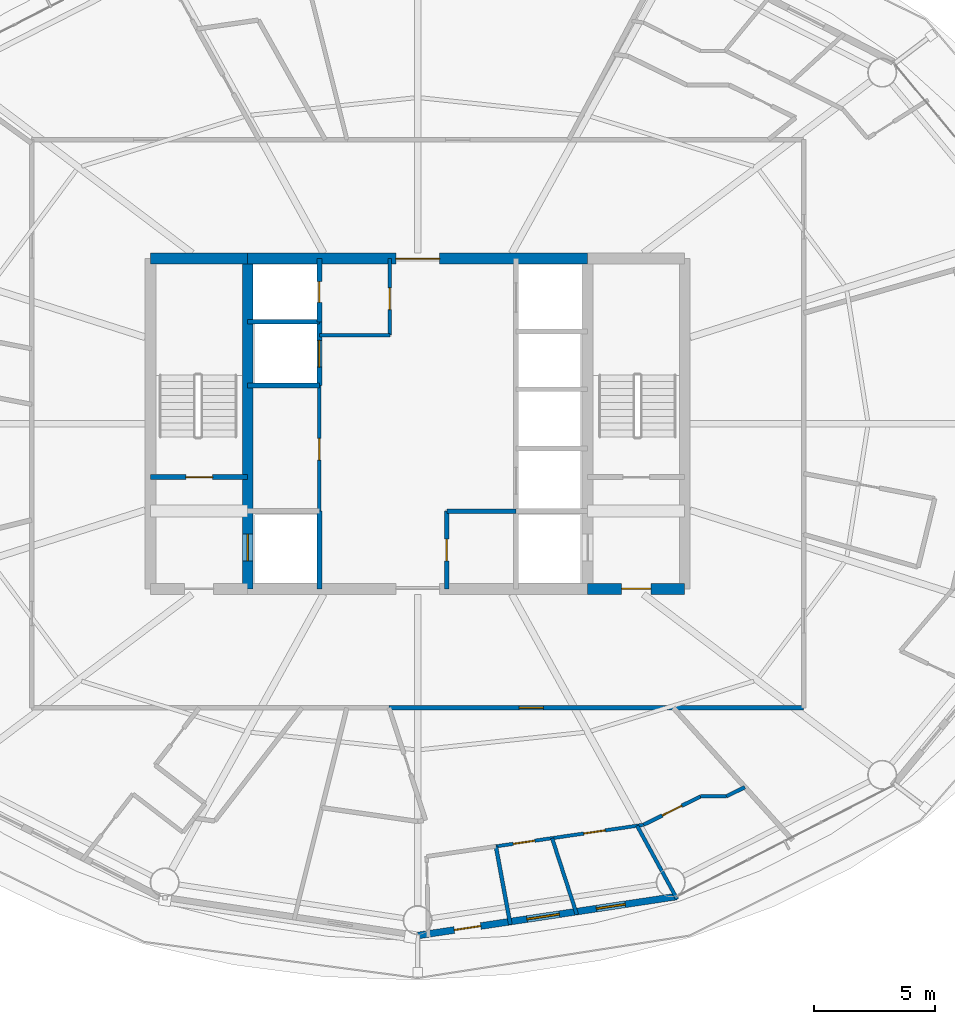
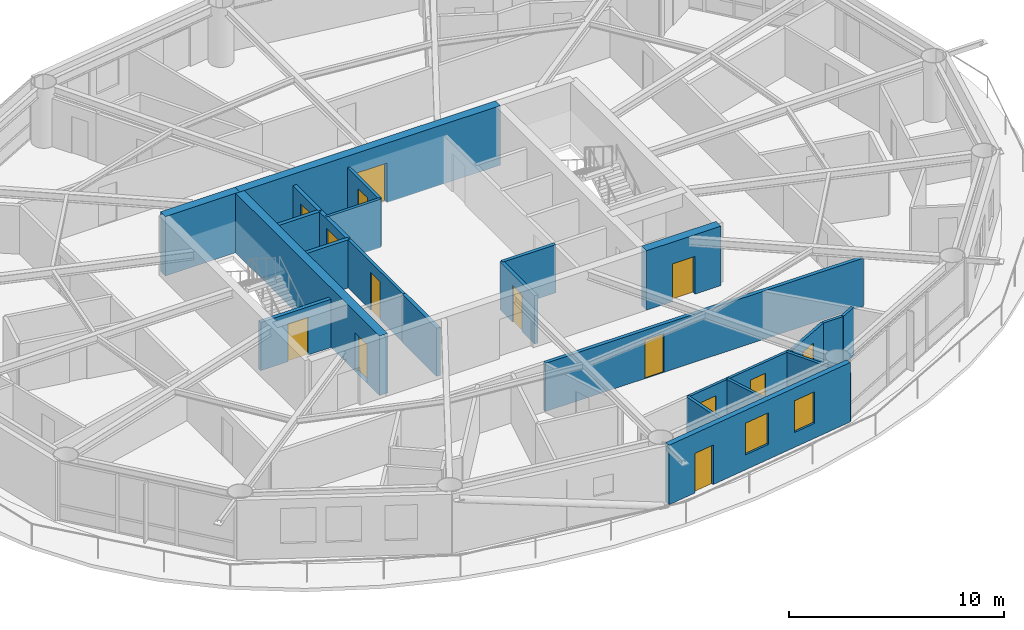
# One storey, part 21 of 27: 24 walls, 14 doors, 2 windows, 16 openings.
"""IFC4 building model written with IfcOpenShell, lengths in metres."""

from ifc_helpers import new_model, si_unit, direction, frame, frame_2d, origin, place, context, subcontext, project, spatial, rectangle, extrude, material, layer, layer_set, type_object, element, fill, save


model = new_model("IFC4")

# Units and contexts
model_context = context("Model", 3, precision=1e-05, world=origin(), true_north=direction((0.0, 1.0)))
body_context = subcontext(model_context, "Body", "Model", "MODEL_VIEW")
ifc_project = project(units=[si_unit("LENGTHUNIT", "METRE"), si_unit("AREAUNIT", "SQUARE_METRE"), si_unit("VOLUMEUNIT", "CUBIC_METRE"), si_unit("PLANEANGLEUNIT", "RADIAN"), si_unit("MASSUNIT", "GRAM", prefix="KILO")], contexts=[model_context])

# Site, building, storey
site_placement = place(None, origin())
site = spatial("IfcSite", under=ifc_project, at=site_placement, CompositionType="ELEMENT")
building_placement = place(site_placement, origin())
building = spatial("IfcBuilding", under=site, at=building_placement, Name="Sarneth Arch Tower", CompositionType="ELEMENT")
storey_placement = place(building_placement, frame((0.0, 0.0, 186.60009765625)))
storey = spatial("IfcBuildingStorey", under=building, at=storey_placement, Name="L47", CompositionType="ELEMENT", Elevation=186.60009765625)

# Wall, opening, door
ifc_material_1 = material(Name="Concrete C50/60", Category="concrete")
ifc_layer_1 = layer(ifc_material_1, 0.449951171875)
ifc_layer_set_1 = layer_set([ifc_layer_1], Name="Concrete C50/60")
wall_type_1 = type_object("IfcWallType", Name="WALL-CORE-450", PredefinedType="SHEAR", material=ifc_layer_set_1)
wall_1_placement = place(storey_placement, frame((55.0, 35.199951171875, 0.0), z_axis=(0.0, 0.0, 1.0), x_axis=(1.0, 0.0, 0.0)))
wall_1 = element("IfcWall", 1, at=wall_1_placement, inside=storey, type_object=wall_type_1, Name="L47 Core shear wall S-E", PredefinedType="SHEAR", context=body_context, shape_type="SweptSolid", body=[
    extrude(rectangle(XDim=4.0, YDim=0.449951171875, at=frame_2d((2.0, 0.0))), origin(), (0.0, 0.0, 1.0), 3.3798828125),
])
opening_1_placement = place(wall_1_placement, frame((1.39990234375, 0.0, 0.0)))
opening_1 = element("IfcOpeningElement", 2, at=opening_1_placement, cuts=wall_1, Name="Opening FD-02", PredefinedType="OPENING", context=body_context, shape_type="SweptSolid", body=[
    extrude(rectangle(XDim=1.199951171875, YDim=2.14990234375, at=frame_2d((0.60009765625, 1.074951171875))), frame((0.0, 0.23486328125, 0.0), z_axis=(0.0, -1.0, 0.0), x_axis=(1.0, 0.0, 0.0)), (0.0, 0.0, 1.0), 0.469970703125),
])
ifc_material_2 = material(Name="Galvanised Steel S275 fire door set", Category="steel")
door_type_1 = type_object("IfcDoorType", Name="DR-FD90-1200", OperationType="SINGLE_SWING_LEFT", PredefinedType="DOOR", material=ifc_material_2)
door_1_placement = place(opening_1_placement, origin())
door_1 = element("IfcDoor", 3, at=door_1_placement, inside=storey, type_object=door_type_1, Name="L47 Firefighting lobby 2 exit door", OperationType="SINGLE_SWING_RIGHT", OverallHeight=2.14990234375, OverallWidth=1.199951171875, PredefinedType="DOOR", context=body_context, shape_type="SweptSolid", body=[
    extrude(rectangle(XDim=1.199951171875, YDim=2.14990234375, at=frame_2d((0.60009765625, 1.074951171875))), frame((0.0, 0.02490234375, 0.0), z_axis=(0.0, -1.0, 0.0), x_axis=(1.0, 0.0, 0.0)), (0.0, 0.0, 1.0), 0.050048828125),
])
fill(opening_1, door_1)

# Wall
wall_2_placement = place(storey_placement, frame((37.0, 48.800048828125, 0.0), z_axis=(0.0, 0.0, 1.0), x_axis=(1.0, 0.0, 0.0)))
element("IfcWall", 4, at=wall_2_placement, inside=storey, type_object=wall_type_1, Name="L47 Core shear wall N-W", PredefinedType="SHEAR", context=body_context, shape_type="SweptSolid", body=[
    extrude(rectangle(XDim=4.0, YDim=0.449951171875, at=frame_2d((2.0, 0.0))), origin(), (0.0, 0.0, 1.0), 3.3798828125),
])

# Wall, opening, door
wall_3_placement = place(storey_placement, frame((41.0, 48.800048828125, 0.0), z_axis=(0.0, 0.0, 1.0), x_axis=(1.0, 0.0, 0.0)))
wall_3 = element("IfcWall", 5, at=wall_3_placement, inside=storey, type_object=wall_type_1, Name="L47 Core shear wall N-M", PredefinedType="SHEAR", context=body_context, shape_type="SweptSolid", body=[
    extrude(rectangle(XDim=14.0, YDim=0.449951171875, at=frame_2d((7.0, 0.0))), origin(), (0.0, 0.0, 1.0), 3.3798828125),
])
opening_2_placement = place(wall_3_placement, frame((6.10009765625, 0.0, 0.0)))
opening_2 = element("IfcOpeningElement", 6, at=opening_2_placement, cuts=wall_3, Name="Opening FD-01", PredefinedType="OPENING", context=body_context, shape_type="SweptSolid", body=[
    extrude(rectangle(XDim=1.800048828125, YDim=2.25, at=frame_2d((0.89990234375, 1.125))), frame((0.0, 0.23486328125, 0.0), z_axis=(0.0, -1.0, 0.0), x_axis=(1.0, 0.0, 0.0)), (0.0, 0.0, 1.0), 0.469970703125),
])
ifc_material_3 = material(Name="Galvanised Steel S275 fire door set", Category="steel")
door_type_2 = type_object("IfcDoorType", Name="DR-FD90-1800", OperationType="DOUBLE_DOOR_SINGLE_SWING", PredefinedType="DOOR", material=ifc_material_3)
door_2_placement = place(opening_2_placement, origin())
door_2 = element("IfcDoor", 7, at=door_2_placement, inside=storey, type_object=door_type_2, Name="L47 Central lift lobby north door", OperationType="DOUBLE_DOOR_SINGLE_SWING", OverallHeight=2.25, OverallWidth=1.800048828125, PredefinedType="DOOR", context=body_context, shape_type="SweptSolid", body=[
    extrude(rectangle(XDim=1.800048828125, YDim=2.25, at=frame_2d((0.89990234375, 1.125))), frame((0.0, 0.02490234375, 0.0), z_axis=(0.0, -1.0, 0.0), x_axis=(1.0, 0.0, 0.0)), (0.0, 0.0, 1.0), 0.050048828125),
])
fill(opening_2, door_2)

wall_4_placement = place(storey_placement, frame((41.0, 35.199951171875, 0.0), z_axis=(0.0, 0.0, 1.0), x_axis=(0.0, 1.0, 0.0)))
wall_4 = element("IfcWall", 8, at=wall_4_placement, inside=storey, type_object=wall_type_1, Name="L47 Core shear wall WEB-W", PredefinedType="SHEAR", context=body_context, shape_type="SweptSolid", body=[
    extrude(rectangle(XDim=13.60009765625, YDim=0.449951171875, at=frame_2d((6.800048828125, 0.0))), origin(), (0.0, 0.0, 1.0), 3.3798828125),
])
opening_3_placement = place(wall_4_placement, frame((1.14990234375, 0.0, 0.0)))
opening_3 = element("IfcOpeningElement", 9, at=opening_3_placement, cuts=wall_4, Name="Opening LD-1", PredefinedType="OPENING", context=body_context, shape_type="SweptSolid", body=[
    extrude(rectangle(XDim=1.10009765625, YDim=2.199951171875, at=frame_2d((0.550048828125, 1.10009765625))), frame((0.0, 0.23486328125, 0.0), z_axis=(0.0, -1.0, 0.0), x_axis=(1.0, 0.0, 0.0)), (0.0, 0.0, 1.0), 0.469970703125),
])
ifc_material_4 = material(Name="Brushed Stainless Steel 304 lift landing door", Category="steel")
door_type_3 = type_object("IfcDoorType", Name="DR-LIFT-SLIDE-1100", OperationType="SLIDING_TO_LEFT", PredefinedType="DOOR", material=ifc_material_4)
door_3_placement = place(opening_3_placement, origin())
door_3 = element("IfcDoor", 10, at=door_3_placement, inside=storey, type_object=door_type_3, Name="L47 Firefighting lift landing door FL-1", OperationType="SLIDING_TO_LEFT", OverallHeight=2.199951171875, OverallWidth=1.10009765625, PredefinedType="DOOR", context=body_context, shape_type="SweptSolid", body=[
    extrude(rectangle(XDim=1.10009765625, YDim=2.199951171875, at=frame_2d((0.550048828125, 1.10009765625))), frame((0.0, 0.02490234375, 0.0), z_axis=(0.0, -1.0, 0.0), x_axis=(1.0, 0.0, 0.0)), (0.0, 0.0, 1.0), 0.050048828125),
])
fill(opening_3, door_3)

ifc_material_5 = material(Name="Double steel-stud corridor fire wall", Category="steel")
ifc_layer_2 = layer(ifc_material_5, 0.18994140625)
ifc_layer_set_2 = layer_set([ifc_layer_2], Name="Double steel-stud corridor fire wall")
wall_type_2 = type_object("IfcWallType", Name="WALL-CORR-190", PredefinedType="PARTITIONING", material=ifc_layer_set_2)
wall_5_placement = place(storey_placement, frame((46.817626953125, 30.300048828125, 0.0), z_axis=(0.0, 0.0, 1.0), x_axis=(1.0, 0.0, 0.0)))
wall_5 = element("IfcWall", 11, at=wall_5_placement, inside=storey, type_object=wall_type_2, Name="L47 Interior partition W-L47-TP-016", PredefinedType="PARTITIONING", context=body_context, shape_type="SweptSolid", body=[
    extrude(rectangle(XDim=17.082275390625, YDim=0.18994140625, at=frame_2d((8.541015625, 0.0))), origin(), (0.0, 0.0, 1.0), 2.739990234375),
])
opening_4_placement = place(wall_5_placement, frame((5.3583984375, 0.0, 0.0)))
opening_4 = element("IfcOpeningElement", 12, at=opening_4_placement, cuts=wall_5, Name="Opening FD-08", PredefinedType="OPENING", context=body_context, shape_type="SweptSolid", body=[
    extrude(rectangle(XDim=1.0, YDim=2.199951171875, at=frame_2d((0.5, 1.10009765625))), frame((0.0, 0.10498046875, 0.0), z_axis=(0.0, -1.0, 0.0), x_axis=(1.0, 0.0, 0.0)), (0.0, 0.0, 1.0), 0.2099609375),
])
ifc_material_6 = material(Name="Hardwood timber acoustic fire door", Category="wood")
door_type_4 = type_object("IfcDoorType", Name="DR-FD60-1000", OperationType="SINGLE_SWING_LEFT", PredefinedType="DOOR", material=ifc_material_6)
door_4_placement = place(opening_4_placement, origin())
door_4 = element("IfcDoor", 13, at=door_4_placement, inside=storey, type_object=door_type_4, Name="L47 Interior door DR-L47-U6-ENT", OperationType="SINGLE_SWING_RIGHT", OverallHeight=2.199951171875, OverallWidth=1.0, PredefinedType="DOOR", context=body_context, shape_type="SweptSolid", body=[
    extrude(rectangle(XDim=1.0, YDim=2.199951171875, at=frame_2d((0.5, 1.10009765625))), frame((0.0, 0.02490234375, 0.0), z_axis=(0.0, -1.0, 0.0), x_axis=(1.0, 0.0, 0.0)), (0.0, 0.0, 1.0), 0.050048828125),
])
fill(opening_4, door_4)

# Wall, openings, door, windows
ifc_material_7 = material(Name="Extruded terracotta rainscreen on Concrete C40/50 backing", Category="masonry")
ifc_layer_3 = layer(ifc_material_7, 0.280029296875)
ifc_layer_set_3 = layer_set([ifc_layer_3], Name="Extruded terracotta rainscreen on Concrete C40/50 backing")
wall_type_3 = type_object("IfcWallType", Name="WALL-EXT-TERRA-280", PredefinedType="SOLIDWALL", material=ifc_layer_set_3)
wall_6_placement = place(storey_placement, frame((48.0, 20.919921875, 0.0), z_axis=(0.0, 0.0, 1.0), x_axis=(0.988863993413, 0.148822049884, 0.0)))
wall_6 = element("IfcWall", 14, at=wall_6_placement, inside=storey, type_object=wall_type_3, Name="L47 Terracotta perimeter wall 13", PredefinedType="SOLIDWALL", context=body_context, shape_type="SweptSolid", body=[
    extrude(rectangle(XDim=10.782958984375, YDim=0.280029296875, at=frame_2d((5.3916015625, 0.0))), origin(), (0.0, 0.0, 1.0), 3.3798828125),
])
opening_5_placement = place(wall_6_placement, frame((1.523681640625, 0.0, 0.0)))
opening_5 = element("IfcOpeningElement", 15, at=opening_5_placement, cuts=wall_6, Name="Opening BD-3", PredefinedType="OPENING", context=body_context, shape_type="SweptSolid", body=[
    extrude(rectangle(XDim=1.10009765625, YDim=2.25, at=frame_2d((0.550048828125, 1.125))), frame((0.0, 0.14990234375, 0.0), z_axis=(0.0, -1.0, 0.0), x_axis=(1.0, 0.0, 0.0)), (0.0, 0.0, 1.0), 0.300048828125),
])
opening_6_placement = place(wall_6_placement, frame((4.5517578125, 0.0, 0.85009765625)))
opening_6 = element("IfcOpeningElement", 16, at=opening_6_placement, cuts=wall_6, Name="Opening W-08", PredefinedType="OPENING", context=body_context, shape_type="SweptSolid", body=[
    extrude(rectangle(XDim=1.35009765625, YDim=1.800048828125, at=frame_2d((0.675048828125, 0.89990234375))), frame((0.0, 0.14990234375, 0.0), z_axis=(0.0, -1.0, 0.0), x_axis=(1.0, 0.0, 0.0)), (0.0, 0.0, 1.0), 0.300048828125),
])
opening_7_placement = place(wall_6_placement, frame((7.446044921875, 0.0, 0.85009765625)))
opening_7 = element("IfcOpeningElement", 17, at=opening_7_placement, cuts=wall_6, Name="Opening W-09", PredefinedType="OPENING", context=body_context, shape_type="SweptSolid", body=[
    extrude(rectangle(XDim=1.199951171875, YDim=1.800048828125, at=frame_2d((0.60009765625, 0.89990234375))), frame((0.0, 0.14990234375, 0.0), z_axis=(0.0, -1.0, 0.0), x_axis=(1.0, 0.0, 0.0)), (0.0, 0.0, 1.0), 0.300048828125),
])
ifc_material_8 = material(Name="Thermally broken Aluminium 6063-T6 and laminated safety glass", Category="aluminium")
door_type_5 = type_object("IfcDoorType", Name="DR-BALC-GLZ-1100", OperationType="SINGLE_SWING_LEFT", PredefinedType="DOOR", material=ifc_material_8)
door_5_placement = place(opening_5_placement, origin())
door_5 = element("IfcDoor", 18, at=door_5_placement, inside=storey, type_object=door_type_5, Name="L47 Balcony glazed door 13", OperationType="SINGLE_SWING_LEFT", OverallHeight=2.25, OverallWidth=1.10009765625, PredefinedType="DOOR", context=body_context, shape_type="SweptSolid", body=[
    extrude(rectangle(XDim=1.10009765625, YDim=2.25, at=frame_2d((0.550048828125, 1.125))), frame((0.0, 0.02490234375, 0.0), z_axis=(0.0, -1.0, 0.0), x_axis=(1.0, 0.0, 0.0)), (0.0, 0.0, 1.0), 0.050048828125),
])
fill(opening_5, door_5)
ifc_material_9 = material(Name="Thermally broken Aluminium 6063-T6 and low-e laminated IGU", Category="aluminium")
window_type_1 = type_object("IfcWindowType", Name="WIN-TWR-1200x1800", PartitioningType="SINGLE_PANEL", PredefinedType="WINDOW", material=ifc_material_9)
window_1_placement = place(opening_7_placement, origin())
window_1 = element("IfcWindow", 19, at=window_1_placement, inside=storey, type_object=window_type_1, Name="L47 Exterior window 13B", OverallHeight=1.800048828125, OverallWidth=1.199951171875, PartitioningType="SINGLE_PANEL", PredefinedType="WINDOW", context=body_context, shape_type="SweptSolid", body=[
    extrude(rectangle(XDim=1.199951171875, YDim=1.800048828125, at=frame_2d((0.60009765625, 0.89990234375))), frame((0.0, 0.030029296875, 0.0), z_axis=(0.0, -1.0, 0.0), x_axis=(1.0, 0.0, 0.0)), (0.0, 0.0, 1.0), 0.06005859375),
])
fill(opening_7, window_1)
ifc_material_10 = material(Name="Thermally broken Aluminium 6063-T6 and low-e laminated IGU", Category="aluminium")
window_type_2 = type_object("IfcWindowType", Name="WIN-TWR-1350x1800", PartitioningType="SINGLE_PANEL", PredefinedType="WINDOW", material=ifc_material_10)
window_2_placement = place(opening_6_placement, origin())
window_2 = element("IfcWindow", 20, at=window_2_placement, inside=storey, type_object=window_type_2, Name="L47 Exterior window 13A", OverallHeight=1.800048828125, OverallWidth=1.35009765625, PartitioningType="SINGLE_PANEL", PredefinedType="WINDOW", context=body_context, shape_type="SweptSolid", body=[
    extrude(rectangle(XDim=1.35009765625, YDim=1.800048828125, at=frame_2d((0.675048828125, 0.89990234375))), frame((0.0, 0.030029296875, 0.0), z_axis=(0.0, -1.0, 0.0), x_axis=(1.0, 0.0, 0.0)), (0.0, 0.0, 1.0), 0.06005859375),
])
fill(opening_6, window_2)

# Wall, openings, doors
ifc_material_11 = material(Name="Apartment internal stud partition", Category="gypsum")
ifc_layer_4 = layer(ifc_material_11, 0.139892578125)
ifc_layer_set_4 = layer_set([ifc_layer_4], Name="Apartment internal stud partition")
wall_type_4 = type_object("IfcWallType", Name="WALL-PART-140", PredefinedType="PARTITIONING", material=ifc_layer_set_4)
wall_7_placement = place(storey_placement, frame((57.30517578125, 25.48095703125, 0.0), z_axis=(0.0, 0.0, 1.0), x_axis=(-0.989473827462, -0.1447119372, 0.0)))
wall_7 = element("IfcWall", 21, at=wall_7_placement, inside=storey, type_object=wall_type_4, Name="L47 Interior partition W-L47-TP-078", PredefinedType="PARTITIONING", context=body_context, shape_type="SweptSolid", body=[
    extrude(rectangle(XDim=6.147705078125, YDim=0.139892578125, at=frame_2d((3.07373046875, 0.0))), origin(), (0.0, 0.0, 1.0), 2.739990234375),
])
opening_8_placement = place(wall_7_placement, frame((1.589599609375, 0.0, 0.0)))
opening_8 = element("IfcOpeningElement", 22, at=opening_8_placement, cuts=wall_7, Name="Opening ID-01", PredefinedType="OPENING", context=body_context, shape_type="SweptSolid", body=[
    extrude(rectangle(XDim=0.89990234375, YDim=2.10009765625, at=frame_2d((0.449951171875, 1.050048828125))), frame((0.0, 0.079833984375, 0.0), z_axis=(0.0, -1.0, 0.0), x_axis=(1.0, 0.0, 0.0)), (0.0, 0.0, 1.0), 0.159912109375),
])
opening_9_placement = place(wall_7_placement, frame((4.528564453125, 0.0, 0.0)))
opening_9 = element("IfcOpeningElement", 23, at=opening_9_placement, cuts=wall_7, Name="Opening ID-01", PredefinedType="OPENING", context=body_context, shape_type="SweptSolid", body=[
    extrude(rectangle(XDim=0.89990234375, YDim=2.10009765625, at=frame_2d((0.449951171875, 1.050048828125))), frame((0.0, 0.079833984375, 0.0), z_axis=(0.0, -1.0, 0.0), x_axis=(1.0, 0.0, 0.0)), (0.0, 0.0, 1.0), 0.159912109375),
])
ifc_material_12 = material(Name="Engineered hardwood flush door", Category="wood")
door_type_6 = type_object("IfcDoorType", Name="DR-INT-900", OperationType="SINGLE_SWING_LEFT", PredefinedType="DOOR", material=ifc_material_12)
door_6_placement = place(opening_8_placement, origin())
door_6 = element("IfcDoor", 24, at=door_6_placement, inside=storey, type_object=door_type_6, Name="L47 Interior door DR-L47-U6-BED2", OperationType="SINGLE_SWING_RIGHT", OverallHeight=2.10009765625, OverallWidth=0.89990234375, PredefinedType="DOOR", context=body_context, shape_type="SweptSolid", body=[
    extrude(rectangle(XDim=0.89990234375, YDim=2.10009765625, at=frame_2d((0.449951171875, 1.050048828125))), frame((0.0, 0.02490234375, 0.0), z_axis=(0.0, -1.0, 0.0), x_axis=(1.0, 0.0, 0.0)), (0.0, 0.0, 1.0), 0.050048828125),
])
fill(opening_8, door_6)
door_7_placement = place(opening_9_placement, origin())
door_7 = element("IfcDoor", 25, at=door_7_placement, inside=storey, type_object=door_type_6, Name="L47 Interior door DR-L47-U6-BED1", OperationType="SINGLE_SWING_LEFT", OverallHeight=2.10009765625, OverallWidth=0.89990234375, PredefinedType="DOOR", context=body_context, shape_type="SweptSolid", body=[
    extrude(rectangle(XDim=0.89990234375, YDim=2.10009765625, at=frame_2d((0.449951171875, 1.050048828125))), frame((0.0, 0.02490234375, 0.0), z_axis=(0.0, -1.0, 0.0), x_axis=(1.0, 0.0, 0.0)), (0.0, 0.0, 1.0), 0.050048828125),
])
fill(opening_9, door_7)

# Wall, opening, door
ifc_material_13 = material(Name="Acoustic gypsum stud partition", Category="gypsum")
ifc_layer_5 = layer(ifc_material_13, 0.14990234375)
ifc_layer_set_5 = layer_set([ifc_layer_5], Name="Acoustic gypsum stud partition")
wall_type_5 = type_object("IfcWallType", Name="WALL-PART-150", PredefinedType="PARTITIONING", material=ifc_layer_set_5)
wall_8_placement = place(storey_placement, frame((43.949951171875, 38.39990234375, 0.0), z_axis=(0.0, 0.0, 1.0), x_axis=(0.0, 1.0, 0.0)))
wall_8 = element("IfcWall", 26, at=wall_8_placement, inside=storey, type_object=wall_type_5, Name="L47 Interior partition W-L47-RECPL-E", PredefinedType="PARTITIONING", context=body_context, shape_type="SweptSolid", body=[
    extrude(rectangle(XDim=5.18017578125, YDim=0.14990234375, at=frame_2d((2.590087890625, 0.0))), origin(), (0.0, 0.0, 1.0), 2.739990234375),
])
opening_10_placement = place(wall_8_placement, frame((2.10009765625, 0.0, 0.0)))
opening_10 = element("IfcOpeningElement", 27, at=opening_10_placement, cuts=wall_8, Name="Opening FD-10", PredefinedType="OPENING", context=body_context, shape_type="SweptSolid", body=[
    extrude(rectangle(XDim=0.89990234375, YDim=2.14990234375, at=frame_2d((0.449951171875, 1.074951171875))), frame((0.0, 0.0849609375, 0.0), z_axis=(0.0, -1.0, 0.0), x_axis=(1.0, 0.0, 0.0)), (0.0, 0.0, 1.0), 0.169921875),
])
ifc_material_14 = material(Name="Galvanised Steel S275 riser/service fire door", Category="steel")
door_type_7 = type_object("IfcDoorType", Name="DR-FD60-900", OperationType="SINGLE_SWING_LEFT", PredefinedType="DOOR", material=ifc_material_14)
door_8_placement = place(opening_10_placement, origin())
door_8 = element("IfcDoor", 28, at=door_8_placement, inside=storey, type_object=door_type_7, Name="L47 Interior door DR-L47-RECPL1", OperationType="SINGLE_SWING_LEFT", OverallHeight=2.14990234375, OverallWidth=0.89990234375, PredefinedType="DOOR", context=body_context, shape_type="SweptSolid", body=[
    extrude(rectangle(XDim=0.89990234375, YDim=2.14990234375, at=frame_2d((0.449951171875, 1.074951171875))), frame((0.0, 0.02490234375, 0.0), z_axis=(0.0, -1.0, 0.0), x_axis=(1.0, 0.0, 0.0)), (0.0, 0.0, 1.0), 0.050048828125),
])
fill(opening_10, door_8)

# Wall
wall_9_placement = place(storey_placement, frame((43.949951171875, 45.64990234375, 0.0), z_axis=(0.0, 0.0, 1.0), x_axis=(1.0, 0.0, 0.0)))
element("IfcWall", 29, at=wall_9_placement, inside=storey, type_object=wall_type_5, Name="L47 Interior partition W-L47-CSUP1-S", PredefinedType="PARTITIONING", context=body_context, shape_type="SweptSolid", body=[
    extrude(rectangle(XDim=2.900146484375, YDim=0.14990234375, at=frame_2d((1.4501953125, 0.0))), origin(), (0.0, 0.0, 1.0), 2.739990234375),
])

# Wall, opening, door
wall_10_placement = place(storey_placement, frame((46.85009765625, 45.64990234375, 0.0), z_axis=(0.0, 0.0, 1.0), x_axis=(0.0, 1.0, 0.0)))
wall_10 = element("IfcWall", 30, at=wall_10_placement, inside=storey, type_object=wall_type_5, Name="L47 Interior partition W-L47-CSUP1-E", PredefinedType="PARTITIONING", context=body_context, shape_type="SweptSolid", body=[
    extrude(rectangle(XDim=3.150146484375, YDim=0.14990234375, at=frame_2d((1.5751953125, 0.0))), origin(), (0.0, 0.0, 1.0), 2.739990234375),
])
opening_11_placement = place(wall_10_placement, frame((1.050048828125, 0.0, 0.0)))
opening_11 = element("IfcOpeningElement", 31, at=opening_11_placement, cuts=wall_10, Name="Opening FD-10", PredefinedType="OPENING", context=body_context, shape_type="SweptSolid", body=[
    extrude(rectangle(XDim=0.89990234375, YDim=2.14990234375, at=frame_2d((0.449951171875, 1.074951171875))), frame((0.0, 0.0849609375, 0.0), z_axis=(0.0, -1.0, 0.0), x_axis=(1.0, 0.0, 0.0)), (0.0, 0.0, 1.0), 0.169921875),
])
door_9_placement = place(opening_11_placement, origin())
door_9 = element("IfcDoor", 32, at=door_9_placement, inside=storey, type_object=door_type_7, Name="L47 Interior door DR-L47-CSUP1", OperationType="SINGLE_SWING_LEFT", OverallHeight=2.14990234375, OverallWidth=0.89990234375, PredefinedType="DOOR", context=body_context, shape_type="SweptSolid", body=[
    extrude(rectangle(XDim=0.89990234375, YDim=2.14990234375, at=frame_2d((0.449951171875, 1.074951171875))), frame((0.0, 0.02490234375, 0.0), z_axis=(0.0, -1.0, 0.0), x_axis=(1.0, 0.0, 0.0)), (0.0, 0.0, 1.0), 0.050048828125),
])
fill(opening_11, door_9)

# Walls
wall_11_placement = place(storey_placement, frame((57.03662109375, 25.44189453125, 0.0), z_axis=(0.0, 0.0, 1.0), x_axis=(0.479035633035, -0.877795455834, 0.0)))
element("IfcWall", 33, at=wall_11_placement, inside=storey, type_object=wall_type_5, Name="L47 Interior partition W-L47-TP-086", PredefinedType="PARTITIONING", context=body_context, shape_type="SweptSolid", body=[
    extrude(rectangle(XDim=3.44873046875, YDim=0.14990234375, at=frame_2d((1.724365234375, 0.0))), origin(), (0.0, 0.0, 1.0), 2.739990234375),
])
wall_12_placement = place(storey_placement, frame((54.554931640625, 21.786865234375, 0.0), z_axis=(0.0, 0.0, 1.0), x_axis=(-0.308436028498, 0.951245087411, 0.0)))
element("IfcWall", 34, at=wall_12_placement, inside=storey, type_object=wall_type_5, Name="L47 Interior partition W-L47-TP-085", PredefinedType="PARTITIONING", context=body_context, shape_type="SweptSolid", body=[
    extrude(rectangle(XDim=3.303955078125, YDim=0.14990234375, at=frame_2d((1.65185546875, 0.0))), origin(), (0.0, 0.0, 1.0), 2.739990234375),
])

# Wall, opening, door
wall_13_placement = place(storey_placement, frame((57.30517578125, 25.48095703125, 0.0), z_axis=(0.0, 0.0, 1.0), x_axis=(0.895041110332, 0.445983644112, 0.0)))
wall_13 = element("IfcWall", 35, at=wall_13_placement, inside=storey, type_object=wall_type_5, Name="L47 Interior partition W-L47-TP-080", PredefinedType="PARTITIONING", context=body_context, shape_type="SweptSolid", body=[
    extrude(rectangle(XDim=2.62109375, YDim=0.14990234375, at=frame_2d((1.310546875, 0.0))), origin(), (0.0, 0.0, 1.0), 2.739990234375),
])
opening_12_placement = place(wall_13_placement, frame((0.860595703125, 0.0, 0.0)))
opening_12 = element("IfcOpeningElement", 36, at=opening_12_placement, cuts=wall_13, Name="Opening ID-01", PredefinedType="OPENING", context=body_context, shape_type="SweptSolid", body=[
    extrude(rectangle(XDim=0.89990234375, YDim=2.10009765625, at=frame_2d((0.449951171875, 1.050048828125))), frame((0.0, 0.0849609375, 0.0), z_axis=(0.0, -1.0, 0.0), x_axis=(1.0, 0.0, 0.0)), (0.0, 0.0, 1.0), 0.169921875),
])
door_10_placement = place(opening_12_placement, origin())
door_10 = element("IfcDoor", 37, at=door_10_placement, inside=storey, type_object=door_type_6, Name="L47 Interior door DR-L47-U6-BED3", OperationType="SINGLE_SWING_LEFT", OverallHeight=2.10009765625, OverallWidth=0.89990234375, PredefinedType="DOOR", context=body_context, shape_type="SweptSolid", body=[
    extrude(rectangle(XDim=0.89990234375, YDim=2.10009765625, at=frame_2d((0.449951171875, 1.050048828125))), frame((0.0, 0.02490234375, 0.0), z_axis=(0.0, -1.0, 0.0), x_axis=(1.0, 0.0, 0.0)), (0.0, 0.0, 1.0), 0.050048828125),
])
fill(opening_12, door_10)

# Walls
wall_14_placement = place(storey_placement, frame((59.651123046875, 26.64990234375, 0.0), z_axis=(0.0, 0.0, 1.0), x_axis=(1.0, 0.0, 0.0)))
element("IfcWall", 38, at=wall_14_placement, inside=storey, type_object=wall_type_5, Name="L47 Interior partition W-L47-TP-081", PredefinedType="PARTITIONING", context=body_context, shape_type="SweptSolid", body=[
    extrude(rectangle(XDim=1.062255859375, YDim=0.14990234375, at=frame_2d((0.53125, 0.0))), origin(), (0.0, 0.0, 1.0), 2.739990234375),
])
wall_15_placement = place(storey_placement, frame((60.71337890625, 26.64990234375, 0.0), z_axis=(0.0, 0.0, 1.0), x_axis=(0.894826947278, 0.446413188006, 0.0)))
element("IfcWall", 39, at=wall_15_placement, inside=storey, type_object=wall_type_5, Name="L47 Interior partition W-L47-TP-082", PredefinedType="PARTITIONING", context=body_context, shape_type="SweptSolid", body=[
    extrude(rectangle(XDim=0.854248046875, YDim=0.14990234375, at=frame_2d((0.42724609375, 0.0))), origin(), (0.0, 0.0, 1.0), 2.739990234375),
])
ifc_material_15 = material(Name="Kitchen wet service chase wall", Category="gypsum")
ifc_layer_6 = layer(ifc_material_15, 0.159912109375)
ifc_layer_set_6 = layer_set([ifc_layer_6], Name="Kitchen wet service chase wall")
wall_type_6 = type_object("IfcWallType", Name="WALL-PLUMB-160", PredefinedType="PLUMBINGWALL", material=ifc_layer_set_6)
wall_16_placement = place(storey_placement, frame((51.22216796875, 24.59130859375, 0.0), z_axis=(0.0, 0.0, 1.0), x_axis=(0.181950347297, -0.983307719444, 0.0)))
element("IfcWall", 40, at=wall_16_placement, inside=storey, type_object=wall_type_6, Name="L47 Interior partition W-L47-TP-084", PredefinedType="PLUMBINGWALL", context=body_context, shape_type="SweptSolid", body=[
    extrude(rectangle(XDim=3.272705078125, YDim=0.159912109375, at=frame_2d((1.63623046875, 0.0))), origin(), (0.0, 0.0, 1.0), 2.739990234375),
])
ifc_material_16 = material(Name="Moisture-resistant plumbing chase wall", Category="gypsum")
ifc_layer_7 = layer(ifc_material_16, 0.179931640625)
ifc_layer_set_7 = layer_set([ifc_layer_7], Name="Moisture-resistant plumbing chase wall")
wall_type_7 = type_object("IfcWallType", Name="WALL-PLUMB-180", PredefinedType="PLUMBINGWALL", material=ifc_layer_set_7)
wall_17_placement = place(storey_placement, frame((49.199951171875, 38.39990234375, 0.0), z_axis=(0.0, 0.0, 1.0), x_axis=(1.0, 0.0, 0.0)))
element("IfcWall", 41, at=wall_17_placement, inside=storey, type_object=wall_type_7, Name="L47 Interior partition W-L47-AWC-N", PredefinedType="PLUMBINGWALL", context=body_context, shape_type="SweptSolid", body=[
    extrude(rectangle(XDim=2.85009765625, YDim=0.179931640625, at=frame_2d((1.425048828125, 0.0))), origin(), (0.0, 0.0, 1.0), 2.739990234375),
])

# Wall, opening, door
wall_18_placement = place(storey_placement, frame((49.199951171875, 35.199951171875, 0.0), z_axis=(0.0, 0.0, 1.0), x_axis=(0.0, 1.0, 0.0)))
wall_18 = element("IfcWall", 42, at=wall_18_placement, inside=storey, type_object=wall_type_7, Name="L47 Interior partition W-L47-AWC-W", PredefinedType="PLUMBINGWALL", context=body_context, shape_type="SweptSolid", body=[
    extrude(rectangle(XDim=3.199951171875, YDim=0.179931640625, at=frame_2d((1.60009765625, 0.0))), origin(), (0.0, 0.0, 1.0), 2.739990234375),
])
opening_13_placement = place(wall_18_placement, frame((1.14990234375, 0.0, 0.0)))
opening_13 = element("IfcOpeningElement", 43, at=opening_13_placement, cuts=wall_18, Name="Opening ID-01", PredefinedType="OPENING", context=body_context, shape_type="SweptSolid", body=[
    extrude(rectangle(XDim=0.89990234375, YDim=2.10009765625, at=frame_2d((0.449951171875, 1.050048828125))), frame((0.0, 0.099853515625, 0.0), z_axis=(0.0, -1.0, 0.0), x_axis=(1.0, 0.0, 0.0)), (0.0, 0.0, 1.0), 0.199951171875),
])
door_11_placement = place(opening_13_placement, origin())
door_11 = element("IfcDoor", 44, at=door_11_placement, inside=storey, type_object=door_type_6, Name="L47 Interior door DR-L47-AWC", OperationType="SINGLE_SWING_RIGHT", OverallHeight=2.10009765625, OverallWidth=0.89990234375, PredefinedType="DOOR", context=body_context, shape_type="SweptSolid", body=[
    extrude(rectangle(XDim=0.89990234375, YDim=2.10009765625, at=frame_2d((0.449951171875, 1.050048828125))), frame((0.0, 0.02490234375, 0.0), z_axis=(0.0, -1.0, 0.0), x_axis=(1.0, 0.0, 0.0)), (0.0, 0.0, 1.0), 0.050048828125),
])
fill(opening_13, door_11)

ifc_material_17 = material(Name="Aerated concrete blockwork C25/30", Category="masonry")
ifc_layer_8 = layer(ifc_material_17, 0.199951171875)
ifc_layer_set_8 = layer_set([ifc_layer_8], Name="Aerated concrete blockwork C25/30")
wall_type_8 = type_object("IfcWallType", Name="WALL-SHAFT-200", PredefinedType="SOLIDWALL", material=ifc_layer_set_8)
wall_19_placement = place(storey_placement, frame((37.0, 39.800048828125, 0.0), z_axis=(0.0, 0.0, 1.0), x_axis=(1.0, 0.0, 0.0)))
wall_19 = element("IfcWall", 45, at=wall_19_placement, inside=storey, type_object=wall_type_8, Name="L47 Interior partition W-L47-ST1-S", PredefinedType="SOLIDWALL", context=body_context, shape_type="SweptSolid", body=[
    extrude(rectangle(XDim=4.0, YDim=0.199951171875, at=frame_2d((2.0, 0.0))), origin(), (0.0, 0.0, 1.0), 2.739990234375),
])
opening_14_placement = place(wall_19_placement, frame((1.449951171875, 0.0, 0.0)))
opening_14 = element("IfcOpeningElement", 46, at=opening_14_placement, cuts=wall_19, Name="Opening FD-03", PredefinedType="OPENING", context=body_context, shape_type="SweptSolid", body=[
    extrude(rectangle(XDim=1.10009765625, YDim=2.14990234375, at=frame_2d((0.550048828125, 1.074951171875))), frame((0.0, 0.10986328125, 0.0), z_axis=(0.0, -1.0, 0.0), x_axis=(1.0, 0.0, 0.0)), (0.0, 0.0, 1.0), 0.219970703125),
])
ifc_material_18 = material(Name="Galvanised Steel S275 fire door set", Category="steel")
door_type_8 = type_object("IfcDoorType", Name="DR-FD90-1100", OperationType="SINGLE_SWING_LEFT", PredefinedType="DOOR", material=ifc_material_18)
door_12_placement = place(opening_14_placement, origin())
door_12 = element("IfcDoor", 47, at=door_12_placement, inside=storey, type_object=door_type_8, Name="L47 Interior door DR-L47-ST1", OperationType="SINGLE_SWING_LEFT", OverallHeight=2.14990234375, OverallWidth=1.10009765625, PredefinedType="DOOR", context=body_context, shape_type="SweptSolid", body=[
    extrude(rectangle(XDim=1.10009765625, YDim=2.14990234375, at=frame_2d((0.550048828125, 1.074951171875))), frame((0.0, 0.02490234375, 0.0), z_axis=(0.0, -1.0, 0.0), x_axis=(1.0, 0.0, 0.0)), (0.0, 0.0, 1.0), 0.050048828125),
])
fill(opening_14, door_12)

# Walls
wall_20_placement = place(storey_placement, frame((43.949951171875, 35.199951171875, 0.0), z_axis=(0.0, 0.0, 1.0), x_axis=(0.0, 1.0, 0.0)))
element("IfcWall", 48, at=wall_20_placement, inside=storey, type_object=wall_type_8, Name="L47 Interior partition W-L47-FL1-E", PredefinedType="SOLIDWALL", context=body_context, shape_type="SweptSolid", body=[
    extrude(rectangle(XDim=3.199951171875, YDim=0.199951171875, at=frame_2d((1.60009765625, 0.0))), origin(), (0.0, 0.0, 1.0), 2.739990234375),
])
wall_21_placement = place(storey_placement, frame((41.0, 46.199951171875, 0.0), z_axis=(0.0, 0.0, 1.0), x_axis=(1.0, 0.0, 0.0)))
element("IfcWall", 49, at=wall_21_placement, inside=storey, type_object=wall_type_8, Name="L47 Interior partition W-L47-RISER-S", PredefinedType="SOLIDWALL", context=body_context, shape_type="SweptSolid", body=[
    extrude(rectangle(XDim=2.949951171875, YDim=0.199951171875, at=frame_2d((1.47509765625, 0.0))), origin(), (0.0, 0.0, 1.0), 2.739990234375),
])

# Wall, opening, door
wall_22_placement = place(storey_placement, frame((43.949951171875, 46.199951171875, 0.0), z_axis=(0.0, 0.0, 1.0), x_axis=(0.0, 1.0, 0.0)))
wall_22 = element("IfcWall", 50, at=wall_22_placement, inside=storey, type_object=wall_type_8, Name="L47 Interior partition W-L47-RISER-E", PredefinedType="SOLIDWALL", context=body_context, shape_type="SweptSolid", body=[
    extrude(rectangle(XDim=2.60009765625, YDim=0.199951171875, at=frame_2d((1.300048828125, 0.0))), origin(), (0.0, 0.0, 1.0), 2.739990234375),
])
opening_15_placement = place(wall_22_placement, frame((0.800048828125, 0.0, 0.0)))
opening_15 = element("IfcOpeningElement", 51, at=opening_15_placement, cuts=wall_22, Name="Opening FD-11", PredefinedType="OPENING", context=body_context, shape_type="SweptSolid", body=[
    extrude(rectangle(XDim=0.85009765625, YDim=2.14990234375, at=frame_2d((0.425048828125, 1.074951171875))), frame((0.0, 0.10986328125, 0.0), z_axis=(0.0, -1.0, 0.0), x_axis=(1.0, 0.0, 0.0)), (0.0, 0.0, 1.0), 0.219970703125),
])
ifc_material_19 = material(Name="Galvanised Steel S275 closet fire door", Category="steel")
door_type_9 = type_object("IfcDoorType", Name="DR-FD60-850", OperationType="SINGLE_SWING_LEFT", PredefinedType="DOOR", material=ifc_material_19)
door_13_placement = place(opening_15_placement, origin())
door_13 = element("IfcDoor", 52, at=door_13_placement, inside=storey, type_object=door_type_9, Name="L47 Lift landing door DR-L47-RISER", OperationType="SINGLE_SWING_LEFT", OverallHeight=2.14990234375, OverallWidth=0.85009765625, PredefinedType="DOOR", context=body_context, shape_type="SweptSolid", body=[
    extrude(rectangle(XDim=0.85009765625, YDim=2.14990234375, at=frame_2d((0.425048828125, 1.074951171875))), frame((0.0, 0.02490234375, 0.0), z_axis=(0.0, -1.0, 0.0), x_axis=(1.0, 0.0, 0.0)), (0.0, 0.0, 1.0), 0.050048828125),
])
fill(opening_15, door_13)

# Wall
wall_23_placement = place(storey_placement, frame((41.0, 43.580078125, 0.0), z_axis=(0.0, 0.0, 1.0), x_axis=(1.0, 0.0, 0.0)))
element("IfcWall", 53, at=wall_23_placement, inside=storey, type_object=wall_type_8, Name="L47 Interior partition W-L47-PM1-S", PredefinedType="SOLIDWALL", context=body_context, shape_type="SweptSolid", body=[
    extrude(rectangle(XDim=2.949951171875, YDim=0.199951171875, at=frame_2d((1.47509765625, 0.0))), origin(), (0.0, 0.0, 1.0), 2.739990234375),
])

# Wall, opening, door
wall_24_placement = place(storey_placement, frame((43.949951171875, 43.580078125, 0.0), z_axis=(0.0, 0.0, 1.0), x_axis=(0.0, 1.0, 0.0)))
wall_24 = element("IfcWall", 54, at=wall_24_placement, inside=storey, type_object=wall_type_8, Name="L47 Interior partition W-L47-PM1-FRONT", PredefinedType="SOLIDWALL", context=body_context, shape_type="SweptSolid", body=[
    extrude(rectangle(XDim=2.619873046875, YDim=0.199951171875, at=frame_2d((1.31005859375, 0.0))), origin(), (0.0, 0.0, 1.0), 2.739990234375),
])
opening_16_placement = place(wall_24_placement, frame((0.75, 0.0, 0.0)))
opening_16 = element("IfcOpeningElement", 55, at=opening_16_placement, cuts=wall_24, Name="Opening LD-1", PredefinedType="OPENING", context=body_context, shape_type="SweptSolid", body=[
    extrude(rectangle(XDim=1.10009765625, YDim=2.199951171875, at=frame_2d((0.550048828125, 1.10009765625))), frame((0.0, 0.10986328125, 0.0), z_axis=(0.0, -1.0, 0.0), x_axis=(1.0, 0.0, 0.0)), (0.0, 0.0, 1.0), 0.219970703125),
])
door_14_placement = place(opening_16_placement, origin())
door_14 = element("IfcDoor", 56, at=door_14_placement, inside=storey, type_object=door_type_3, Name="L47 Lift landing door DR-L47-LD-PM1", OperationType="SLIDING_TO_LEFT", OverallHeight=2.199951171875, OverallWidth=1.10009765625, PredefinedType="DOOR", context=body_context, shape_type="SweptSolid", body=[
    extrude(rectangle(XDim=1.10009765625, YDim=2.199951171875, at=frame_2d((0.550048828125, 1.10009765625))), frame((0.0, 0.02490234375, 0.0), z_axis=(0.0, -1.0, 0.0), x_axis=(1.0, 0.0, 0.0)), (0.0, 0.0, 1.0), 0.050048828125),
])
fill(opening_16, door_14)

save(model, "model.ifc")
